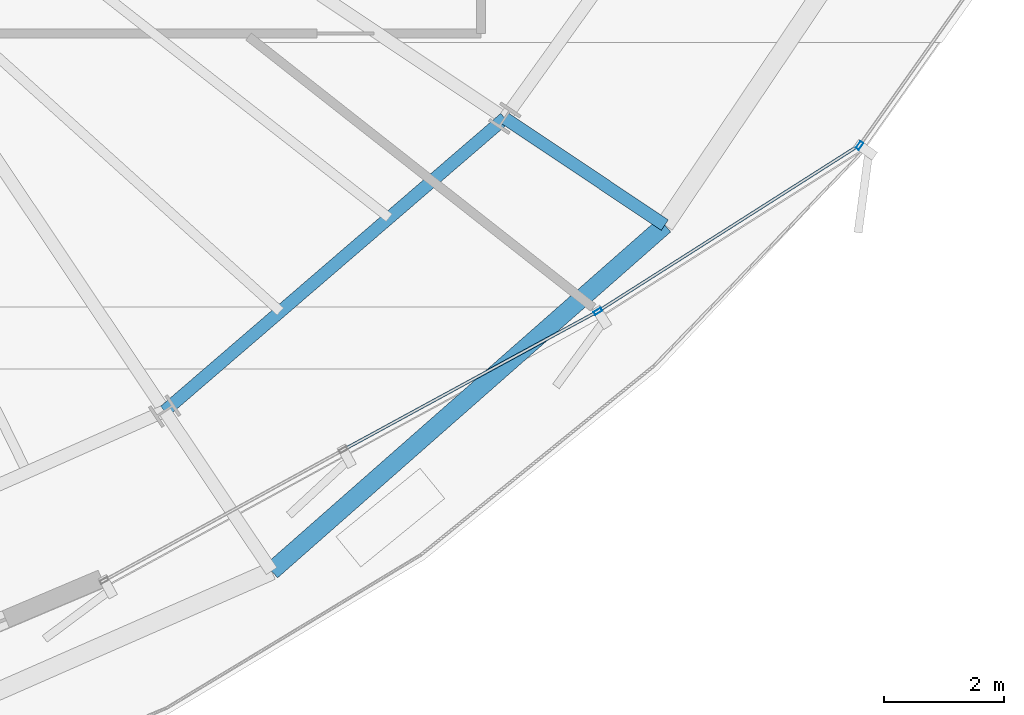
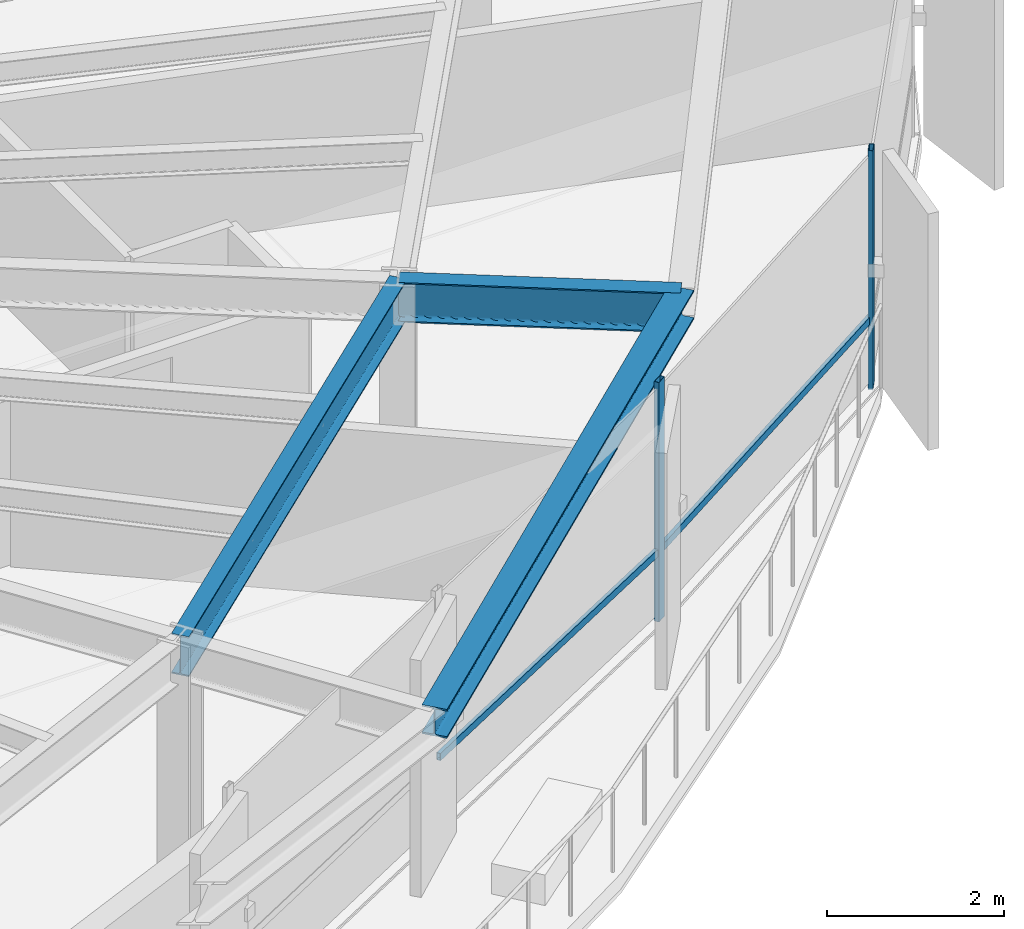
# One storey, part 14 of 36: 4 members, 3 beams, 1 element without a shape of its own.
"""IFC4 building model written with IfcOpenShell, lengths in metres."""

from ifc_helpers import new_model, si_unit, direction, frame, origin, origin_2d, place, context, subcontext, project, spatial, hollow_rectangle, i_section, extrude, source, transform, mapped, material, layer, layer_set, material_profile, profile_set, type_object, element, aggregate, save


model = new_model("IFC4")

# Units and contexts
model_context = context("Model", 3, precision=1e-05, world=origin(), true_north=direction((0.0, 1.0)))
body_context = subcontext(model_context, "Body", "Model", "MODEL_VIEW")
ifc_project = project(units=[si_unit("LENGTHUNIT", "METRE"), si_unit("AREAUNIT", "SQUARE_METRE"), si_unit("VOLUMEUNIT", "CUBIC_METRE"), si_unit("PLANEANGLEUNIT", "RADIAN"), si_unit("MASSUNIT", "GRAM", prefix="KILO"), si_unit("THERMODYNAMICTEMPERATUREUNIT", "KELVIN")], contexts=[model_context])

# Site, building, storey
site_placement = place(None, origin())
site = spatial("IfcSite", under=ifc_project, at=site_placement, CompositionType="ELEMENT")
building_placement = place(site_placement, origin())
building = spatial("IfcBuilding", under=site, at=building_placement, Name="Kethvar Cultural Tower", CompositionType="ELEMENT")
storey_placement = place(building_placement, frame((0.0, 0.0, 143.0)))
storey = spatial("IfcBuildingStorey", under=building, at=storey_placement, Name="L36", CompositionType="ELEMENT", Elevation=143.0)

# Beams
ifc_material_1 = material(Name="Steel S355J2", Category="steel")
ifc_material_profile_1 = material_profile(ifc_material_1, i_section(OverallWidth=0.2099609375, OverallDepth=0.550048828125, WebThickness=0.010986328125, FlangeThickness=0.01708984375, FilletRadius=0.02392578125, at=origin_2d()), Name="Steel S355J2 — IPE550")
ifc_profile_set_1 = profile_set([ifc_material_profile_1], Name="Steel S355J2 — IPE550")
beam_type_1 = type_object("IfcBeamType", Name="BM-IPE550", PredefinedType="BEAM", material=ifc_profile_set_1)
shared_shape_1 = source(origin(), body_context, "Body", "SweptSolid", [
    extrude(i_section(OverallWidth=0.2099609375, OverallDepth=0.550048828125, WebThickness=0.010986328125, FlangeThickness=0.01708984375, FilletRadius=0.02392578125, at=origin_2d()), origin(), (0.0, 0.0, 1.0), 3.199951171875),
])
beam_1_placement = place(storey_placement, frame((62.898681640625, 17.043212890625, 3.02294921875), z_axis=(0.831462943996, -0.555580212716, 0.0), x_axis=(0.555580212716, 0.831462943996, 0.0)))
element("IfcBeam", 1, at=beam_1_placement, inside=storey, type_object=beam_type_1, Name="L36 Perimeter Cantilever Beam RC-15", PredefinedType="BEAM", context=body_context, shape_type="MappedRepresentation", body=[
    mapped(shared_shape_1, transform((0.0, 0.0, 0.0), scale=1.0)),
])
shared_shape_2 = source(origin(), body_context, "Body", "SweptSolid", [
    extrude(i_section(OverallWidth=0.2099609375, OverallDepth=0.550048828125, WebThickness=0.010986328125, FlangeThickness=0.01708984375, FilletRadius=0.02392578125, at=origin_2d()), origin(), (0.0, 0.0, 1.0), 7.46484375),
])
beam_2_placement = place(storey_placement, frame((57.241943359375, 12.17236328125, 3.02294921875), z_axis=(0.757784075291, 0.652505398625, 0.0), x_axis=(-0.652505398625, 0.757784075291, 0.0)))
element("IfcBeam", 2, at=beam_2_placement, inside=storey, type_object=beam_type_1, Name="L36 Column Ring Tie Beam CR-14", PredefinedType="BEAM", context=body_context, shape_type="MappedRepresentation", body=[
    mapped(shared_shape_2, transform((0.0, 0.0, 0.0), scale=1.0)),
])
ifc_material_profile_2 = material_profile(ifc_material_1, i_section(OverallWidth=0.300048828125, OverallDepth=0.39990234375, WebThickness=0.013427734375, FlangeThickness=0.02392578125, FilletRadius=0.027099609375, at=origin_2d()), Name="Steel S355J2 — HEB400")
ifc_profile_set_2 = profile_set([ifc_material_profile_2], Name="Steel S355J2 — HEB400")
beam_type_2 = type_object("IfcBeamType", Name="BM-SP400", PredefinedType="SPANDREL", material=ifc_profile_set_2)
shared_shape_3 = source(origin(), body_context, "Body", "SweptSolid", [
    extrude(i_section(OverallWidth=0.300048828125, OverallDepth=0.39990234375, WebThickness=0.013427734375, FlangeThickness=0.02392578125, FilletRadius=0.027099609375, at=origin_2d()), origin(), (0.0, 0.0, 1.0), 8.71044921875),
])
beam_3_placement = place(storey_placement, frame((59.019775390625, 9.51171875, 3.097900390625), z_axis=(0.75077856833, 0.660553965498, 0.0), x_axis=(-0.660553965498, 0.75077856833, 0.0)))
element("IfcBeam", 3, at=beam_3_placement, inside=storey, type_object=beam_type_2, Name="L36 Perimeter Spandrel Beam SP-14", PredefinedType="SPANDREL", context=body_context, shape_type="MappedRepresentation", body=[
    mapped(shared_shape_3, transform((0.0, 0.0, 0.0), scale=1.0)),
])

# Curtain wall, members
ifc_material_2 = material(Name="Aluminium 6063-T6", Category="aluminium")
ifc_layer = layer(ifc_material_2, 0.179931640625, Name="Aluminium 6063-T6", Category="aluminium")
ifc_layer_set = layer_set([ifc_layer], Name="Aluminium 6063-T6 (180 mm)")
curtain_wall_type = type_object("IfcCurtainWallType", Name="CW-SYS-04-Z34", PredefinedType="NOTDEFINED", material=ifc_layer_set)
curtain_wall_placement = place(storey_placement, origin())
curtain_wall = element("IfcCurtainWall", 4, at=curtain_wall_placement, inside=storey, type_object=curtain_wall_type, Name="L36 Curtain Wall Run 06", PredefinedType="NOTDEFINED")
ifc_material_profile_3 = material_profile(ifc_material_2, hollow_rectangle(XDim=0.06005859375, YDim=0.139892578125, WallThickness=0.0048828125, at=origin_2d()), Name="Aluminium 6063-T6 — RHS140x60x5")
ifc_profile_set_3 = profile_set([ifc_material_profile_3], Name="Aluminium 6063-T6 — RHS140x60x5")
member_type_1 = type_object("IfcMemberType", Name="CW-SYS-04-Z34-MUL", PredefinedType="MULLION", material=ifc_profile_set_3)
shared_shape_4 = source(origin(), body_context, "Body", "SweptSolid", [
    extrude(hollow_rectangle(XDim=0.06005859375, YDim=0.139892578125, WallThickness=0.0048828125, at=origin_2d()), origin(), (0.0, 0.0, 1.0), 3.300048828125),
])
member_1_placement = place(storey_placement, frame((64.447265625, 13.831787109375, 0.0), z_axis=(0.0, 0.0, 1.0), x_axis=(-0.536533949373, 0.843878736058, 0.0)))
member_1 = element("IfcMember", 5, at=member_1_placement, type_object=member_type_1, Name="CW-L36-R06 Mullion 3", PredefinedType="MULLION", context=body_context, shape_type="MappedRepresentation", body=[
    mapped(shared_shape_4, transform((0.0, 0.0, 0.0), scale=1.0)),
])
member_2_placement = place(storey_placement, frame((68.798095703125, 16.58837890625, 0.0), z_axis=(0.0, 0.0, 1.0), x_axis=(-0.816470276793, 0.577387467056, 0.0)))
member_2 = element("IfcMember", 6, at=member_2_placement, type_object=member_type_1, Name="CW-L36-R06 Mullion 4", PredefinedType="MULLION", context=body_context, shape_type="MappedRepresentation", body=[
    mapped(shared_shape_4, transform((0.0, 0.0, 0.0), scale=1.0)),
])
ifc_material_profile_4 = material_profile(ifc_material_2, hollow_rectangle(XDim=0.050048828125, YDim=0.10009765625, WallThickness=0.00390625, at=origin_2d()), Name="Aluminium 6063-T6 — RHS100x50x4")
ifc_profile_set_4 = profile_set([ifc_material_profile_4], Name="Aluminium 6063-T6 — RHS100x50x4")
member_type_2 = type_object("IfcMemberType", Name="CW-SYS-04-Z34-TRN", PredefinedType="USERDEFINED", material=ifc_profile_set_4)
shared_shape_5 = source(origin(), body_context, "Body", "SweptSolid", [
    extrude(hollow_rectangle(XDim=0.050048828125, YDim=0.10009765625, WallThickness=0.00390625, at=origin_2d()), origin(), (0.0, 0.0, 1.0), 4.74365234375),
])
member_3_placement = place(storey_placement, frame((60.249267578125, 11.547607421875, 0.949951171875), z_axis=(0.878343643231, 0.478029752627, 0.0), x_axis=(-0.478029752627, 0.878343643231, 0.0)))
member_3 = element("IfcMember", 7, at=member_3_placement, type_object=member_type_2, Name="CW-L36-R06 Transom 2", ObjectType="TRANSOM", PredefinedType="USERDEFINED", context=body_context, shape_type="MappedRepresentation", body=[
    mapped(shared_shape_5, transform((0.0, 0.0, 0.0), scale=1.0)),
])
shared_shape_6 = source(origin(), body_context, "Body", "SweptSolid", [
    extrude(hollow_rectangle(XDim=0.050048828125, YDim=0.10009765625, WallThickness=0.00390625, at=origin_2d()), origin(), (0.0, 0.0, 1.0), 5.10595703125),
])
member_4_placement = place(storey_placement, frame((64.483642578125, 13.85498046875, 0.949951171875), z_axis=(0.843881926791, 0.536528930847, 0.0), x_axis=(-0.536528930847, 0.843881926791, 0.0)))
member_4 = element("IfcMember", 8, at=member_4_placement, type_object=member_type_2, Name="CW-L36-R06 Transom 3", ObjectType="TRANSOM", PredefinedType="USERDEFINED", context=body_context, shape_type="MappedRepresentation", body=[
    mapped(shared_shape_6, transform((0.0, 0.0, 0.0), scale=1.0)),
])
aggregate(curtain_wall, [member_1, member_2, member_3, member_4])

save(model, "model.ifc")
